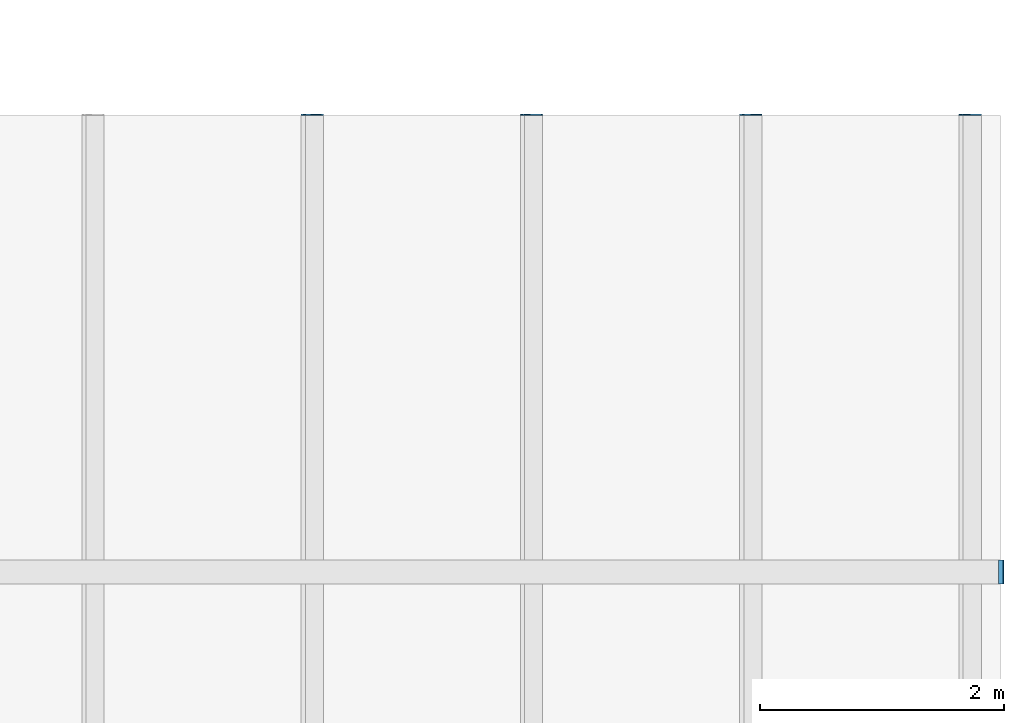
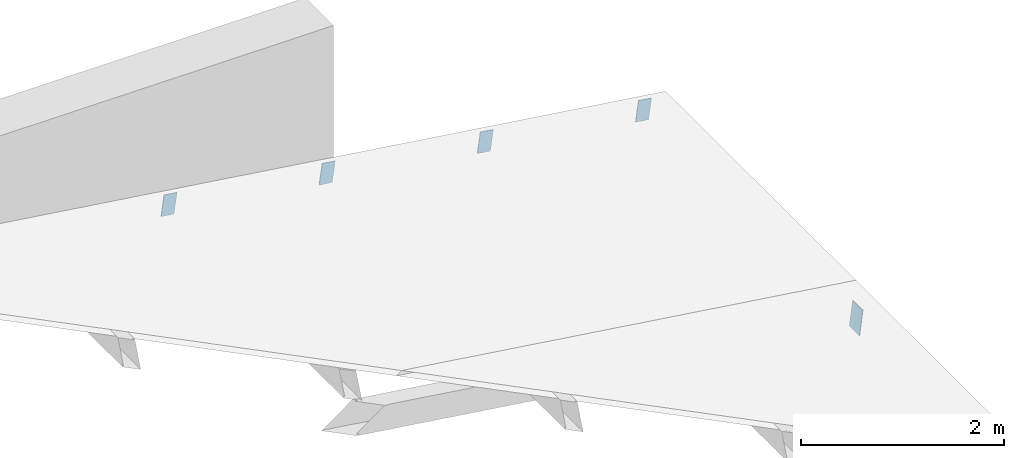
# One storey, part 40 of 52: 5 discrete accessories.
"""IFC4 building model written with IfcOpenShell, lengths in metres."""

from ifc_helpers import new_model, si_unit, direction, frame, origin, origin_2d, place, context, subcontext, project, spatial, rectangle, extrude, material, material_profile, profile_set, type_object, element, save


model = new_model("IFC4")

# Units and contexts
model_context = context("Model", 3, precision=1e-05, world=origin(), true_north=direction((0.0, 1.0)))
body_context = subcontext(model_context, "Body", "Model", "MODEL_VIEW")
ifc_project = project(units=[si_unit("LENGTHUNIT", "METRE"), si_unit("AREAUNIT", "SQUARE_METRE"), si_unit("VOLUMEUNIT", "CUBIC_METRE"), si_unit("PLANEANGLEUNIT", "RADIAN"), si_unit("MASSUNIT", "GRAM", prefix="KILO")], contexts=[model_context])

# Site, building, storey
site_placement = place(None, origin())
site = spatial("IfcSite", under=ifc_project, at=site_placement, CompositionType="ELEMENT")
building_placement = place(site_placement, origin())
building = spatial("IfcBuilding", under=site, at=building_placement, Name="Cour d'Honneur Mobility Palace", CompositionType="ELEMENT")
storey_placement = place(building_placement, frame((0.0, 0.0, 23.0)))
storey = spatial("IfcBuildingStorey", under=building, at=storey_placement, Name="L06", CompositionType="ELEMENT", Elevation=23.0)

# Discrete accessories
ifc_material_1 = material(Name="Steel S355", Category="steel")
ifc_material_profile_1 = material_profile(ifc_material_1, rectangle(XDim=0.14990234375, YDim=0.25, at=origin_2d()), Name="PL 250x150x10")
ifc_profile_set_1 = profile_set([ifc_material_profile_1], Name="Steel S355")
discrete_accessory_type_1 = type_object("IfcDiscreteAccessoryType", Name="End cap plate RHS 250x150x10", PredefinedType="USERDEFINED", material=ifc_profile_set_1)
for number, where, z_axis, x_axis, name in (
    (1, (163.425048828125, 103.64990234375, 0.55419921875), (0.0, 1.0, 0.0), (-0.990349673475, 0.0, 0.138591212736), "End cap plate EC-TU-S7.4-2"),
    (2, (161.625, 103.64990234375, 0.80615234375), (0.0, 1.0, 0.0), (-0.990349673475, 0.0, 0.138591212736), "End cap plate EC-TU-S8.4-2"),
    (3, (159.824951171875, 103.64990234375, 1.05810546875), (0.0, 1.0, 0.0), (-0.990349673475, 0.0, 0.138591212736), "End cap plate EC-TU-S9.4-2"),
    (4, (158.02490234375, 103.64990234375, 1.309814453125), (0.0, 1.0, 0.0), (-0.990349673475, 0.0, 0.138591212736), "End cap plate EC-TU-S10.4-2"),
):
    element("IfcDiscreteAccessory", number, at=place(storey_placement, frame(where, z_axis=z_axis, x_axis=x_axis)), inside=storey, type_object=discrete_accessory_type_1, Name=name, ObjectType="END CAP PLATE", PredefinedType="USERDEFINED", context=body_context, shape_type="SweptSolid", body=[
        extrude(rectangle(XDim=0.14990234375, YDim=0.25, at=origin_2d()), origin(), (0.0, 0.0, 1.0), 0.010009765625),
    ])
ifc_material_2 = material(Name="Steel S355", Category="steel")
ifc_material_profile_2 = material_profile(ifc_material_2, rectangle(XDim=0.199951171875, YDim=0.300048828125, at=origin_2d()), Name="PL 300x200x10")
ifc_profile_set_2 = profile_set([ifc_material_profile_2], Name="Steel S355")
discrete_accessory_type_2 = type_object("IfcDiscreteAccessoryType", Name="End cap plate RHS 300x200x12.5", PredefinedType="USERDEFINED", material=ifc_profile_set_2)
discrete_accessory_placement = place(storey_placement, frame((163.675048828125, 99.89990234375, 0.241455078125), z_axis=(0.992277876714, 0.0, -0.124034734589), x_axis=(0.0, 1.0, 0.0)))
element("IfcDiscreteAccessory", 5, at=discrete_accessory_placement, inside=storey, type_object=discrete_accessory_type_2, Name="End cap plate EC-TF-S5E-2", ObjectType="END CAP PLATE", PredefinedType="USERDEFINED", context=body_context, shape_type="SweptSolid", body=[
    extrude(rectangle(XDim=0.199951171875, YDim=0.300048828125, at=origin_2d()), origin(), (0.0, 0.0, 1.0), 0.009765625),
])

save(model, "model.ifc")
